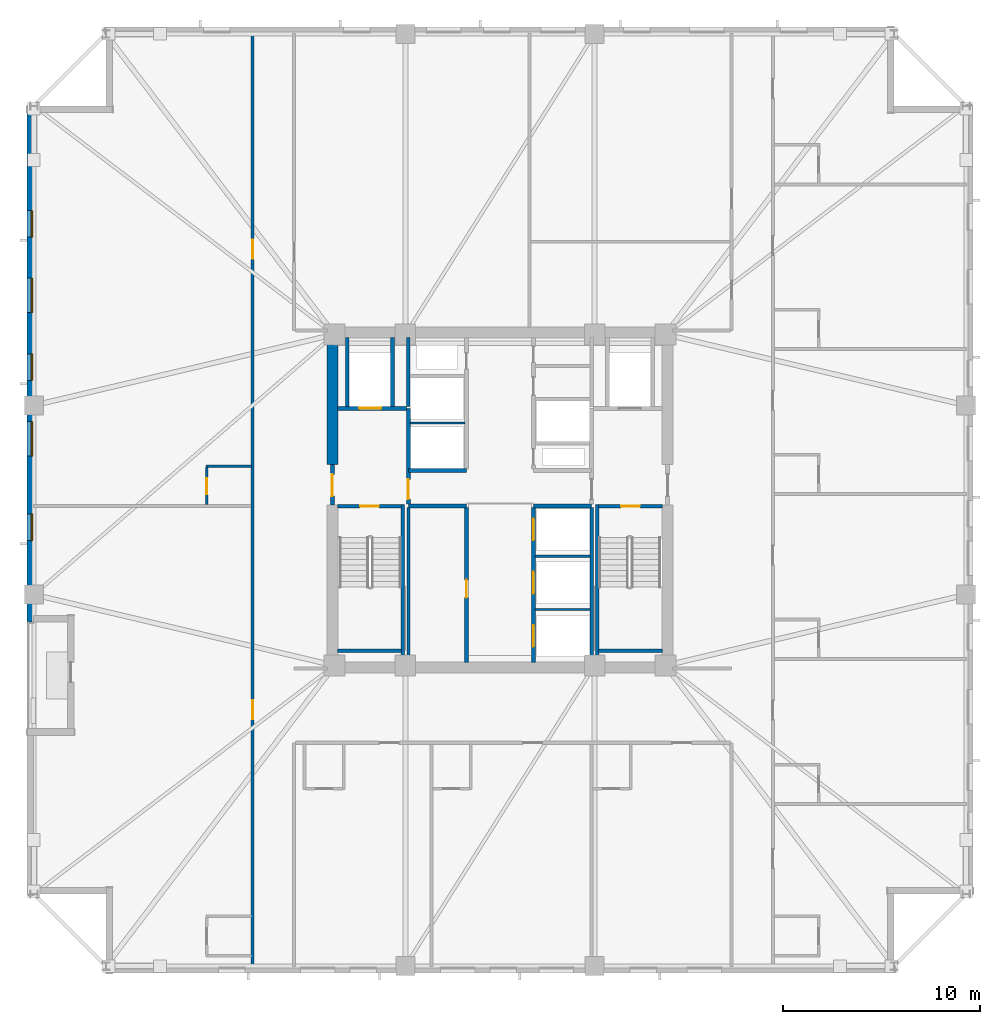
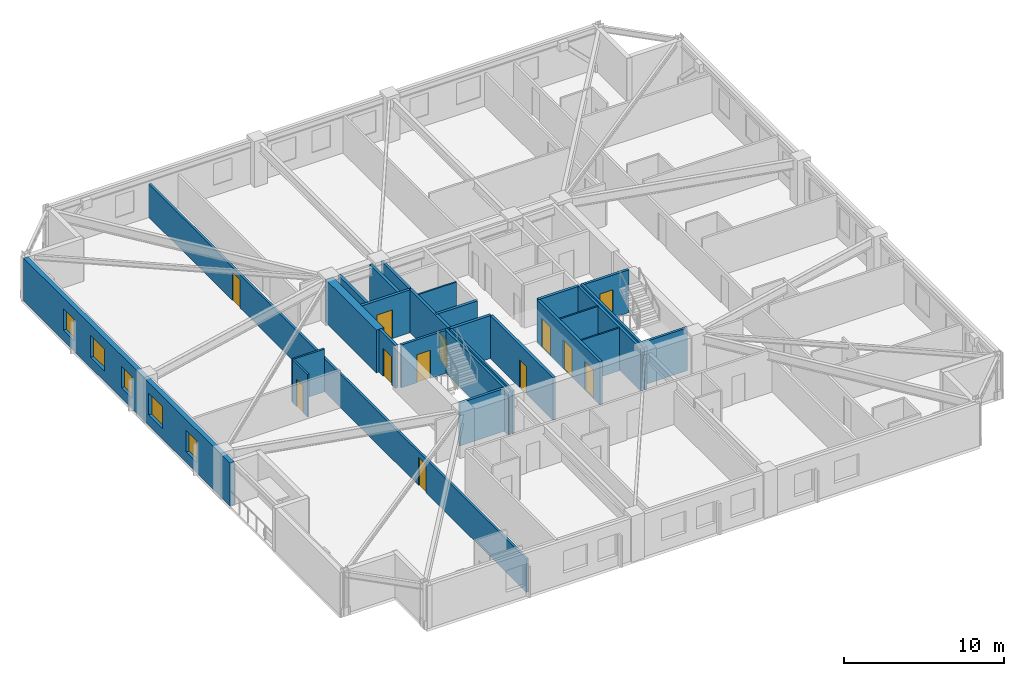
# One storey, part 3 of 11: 27 walls, 12 doors, 5 windows, 17 openings.
"""IFC4 building model written with IfcOpenShell, lengths in metres."""

from ifc_helpers import new_model, si_unit, direction, frame, frame_2d, origin, place, context, subcontext, project, spatial, rectangle, extrude, material, layer, layer_set, type_object, element, fill, save


model = new_model("IFC4")

# Units and contexts
model_context = context("Model", 3, precision=1e-05, world=origin(), true_north=direction((0.0, 1.0)))
body_context = subcontext(model_context, "Body", "Model", "MODEL_VIEW")
ifc_project = project(units=[si_unit("LENGTHUNIT", "METRE"), si_unit("AREAUNIT", "SQUARE_METRE"), si_unit("VOLUMEUNIT", "CUBIC_METRE"), si_unit("PLANEANGLEUNIT", "RADIAN"), si_unit("MASSUNIT", "GRAM", prefix="KILO")], contexts=[model_context])

# Site, building, storey
site_placement = place(None, origin())
site = spatial("IfcSite", under=ifc_project, at=site_placement, CompositionType="ELEMENT")
building_placement = place(site_placement, origin())
building = spatial("IfcBuilding", under=site, at=building_placement, Name="Cairnveth Concourse Tower", CompositionType="ELEMENT")
storey_placement = place(building_placement, frame((0.0, 0.0, 134.0)))
storey = spatial("IfcBuildingStorey", under=building, at=storey_placement, Name="L36", CompositionType="ELEMENT", Elevation=134.0)

# Wall
ifc_material_1 = material(Name="Gypsum Plasterboard Partition", Category="gypsum")
ifc_layer_1 = layer(ifc_material_1, 0.159912109375)
ifc_layer_set_1 = layer_set([ifc_layer_1], Name="Gypsum Plasterboard Partition")
wall_type_1 = type_object("IfcWallType", Name="ACOUSTIC PARTY WALL 180", PredefinedType="PARTITIONING", material=ifc_layer_set_1)
wall_1_placement = place(storey_placement, frame((47.35009765625, 30.760009765625, 0.0), z_axis=(0.0, 0.0, 1.0), x_axis=(0.0, 1.0, 0.0)))
element("IfcWall", 1, at=wall_1_placement, inside=storey, type_object=wall_type_1, Name="Interior Wall IW-L36-025", PredefinedType="PARTITIONING", context=body_context, shape_type="SweptSolid", body=[
    extrude(rectangle(XDim=7.85498046875, YDim=0.159912109375, at=frame_2d((3.927490234375, 0.0))), origin(), (0.0, 0.0, 1.0), 3.280029296875),
])

# Wall, openings, doors
wall_2_placement = place(storey_placement, frame((39.449951171875, 15.324951171875, 0.0), z_axis=(0.0, 0.0, 1.0), x_axis=(0.0, 1.0, 0.0)))
wall_2 = element("IfcWall", 2, at=wall_2_placement, inside=storey, type_object=wall_type_1, Name="Interior Wall IW-L36-036", PredefinedType="PARTITIONING", context=body_context, shape_type="SweptSolid", body=[
    extrude(rectangle(XDim=47.35009765625, YDim=0.159912109375, at=frame_2d((23.675048828125, 0.0))), origin(), (0.0, 0.0, 1.0), 2.554931640625),
])
opening_1_placement = place(wall_2_placement, frame((12.55712890625, 0.0, 0.0)))
opening_1 = element("IfcOpeningElement", 3, at=opening_1_placement, cuts=wall_2, Name="Opening ID09", PredefinedType="OPENING", context=body_context, shape_type="SweptSolid", body=[
    extrude(rectangle(XDim=0.9599609375, YDim=2.14990234375, at=frame_2d((0.47998046875, 1.074951171875))), frame((0.0, 0.08984375, 0.0), z_axis=(0.0, -1.0, 0.0), x_axis=(1.0, 0.0, 0.0)), (0.0, 0.0, 1.0), 0.179931640625),
])
opening_2_placement = place(wall_2_placement, frame((35.912109375, 0.0, 0.0)))
opening_2 = element("IfcOpeningElement", 4, at=opening_2_placement, cuts=wall_2, Name="Opening ID09", PredefinedType="OPENING", context=body_context, shape_type="SweptSolid", body=[
    extrude(rectangle(XDim=0.9599609375, YDim=2.14990234375, at=frame_2d((0.47998046875, 1.074951171875))), frame((0.0, 0.08984375, 0.0), z_axis=(0.0, -1.0, 0.0), x_axis=(1.0, 0.0, 0.0)), (0.0, 0.0, 1.0), 0.179931640625),
])
ifc_material_2 = material(Name="Solid Core Hardwood Timber Leaf", Category="wood")
door_type_1 = type_object("IfcDoorType", Name="HOTEL ENTRANCE DOOR 960X2150", OperationType="NOTDEFINED", PredefinedType="DOOR", material=ifc_material_2)
door_1_placement = place(opening_1_placement, origin())
door_1 = element("IfcDoor", 5, at=door_1_placement, inside=storey, type_object=door_type_1, Name="Hotel Room Door L36-W1", OperationType="SINGLE_SWING_LEFT", OverallHeight=2.14990234375, OverallWidth=0.9599609375, PredefinedType="DOOR", context=body_context, shape_type="SweptSolid", body=[
    extrude(rectangle(XDim=0.9599609375, YDim=2.14990234375, at=frame_2d((0.47998046875, 1.074951171875))), frame((0.0, 0.02490234375, 0.0), z_axis=(0.0, -1.0, 0.0), x_axis=(1.0, 0.0, 0.0)), (0.0, 0.0, 1.0), 0.050048828125),
])
fill(opening_1, door_1)
door_2_placement = place(opening_2_placement, origin())
door_2 = element("IfcDoor", 6, at=door_2_placement, inside=storey, type_object=door_type_1, Name="Hotel Room Door L36-W2", OperationType="SINGLE_SWING_LEFT", OverallHeight=2.14990234375, OverallWidth=0.9599609375, PredefinedType="DOOR", context=body_context, shape_type="SweptSolid", body=[
    extrude(rectangle(XDim=0.9599609375, YDim=2.14990234375, at=frame_2d((0.47998046875, 1.074951171875))), frame((0.0, 0.02490234375, 0.0), z_axis=(0.0, -1.0, 0.0), x_axis=(1.0, 0.0, 0.0)), (0.0, 0.0, 1.0), 0.050048828125),
])
fill(opening_2, door_2)

# Walls
ifc_material_3 = material(Name="Concrete N80 (80 MPa)", Category="concrete")
ifc_layer_2 = layer(ifc_material_3, 0.550048828125)
ifc_layer_set_2 = layer_set([ifc_layer_2], Name="Concrete N80 (80 MPa)")
wall_type_2 = type_object("IfcWallType", Name="CORE SHEAR WALL 550", PredefinedType="SHEAR", material=ifc_layer_set_2)
wall_3_placement = place(storey_placement, frame((43.5, 40.800048828125, 0.0), z_axis=(0.0, 0.0, 1.0), x_axis=(0.0, 1.0, 0.0)))
element("IfcWall", 7, at=wall_3_placement, inside=storey, type_object=wall_type_2, Name="Core West Shear Wall N L36", PredefinedType="SHEAR", context=body_context, shape_type="SweptSolid", body=[
    extrude(rectangle(XDim=6.43505859375, YDim=0.550048828125, at=frame_2d((3.217529296875, 0.0))), origin(), (0.0, 0.0, 1.0), 3.280029296875),
])
ifc_material_4 = material(Name="Concrete N50 (50 MPa)", Category="concrete")
ifc_layer_3 = layer(ifc_material_4, 0.179931640625)
ifc_layer_set_3 = layer_set([ifc_layer_3], Name="Concrete N50 (50 MPa)")
wall_type_3 = type_object("IfcWallType", Name="FIRE SHAFT WALL 180", PredefinedType="SOLIDWALL", material=ifc_layer_set_3)
wall_4_placement = place(storey_placement, frame((56.64990234375, 30.760009765625, 0.0), z_axis=(0.0, 0.0, 1.0), x_axis=(0.0, 1.0, 0.0)))
element("IfcWall", 8, at=wall_4_placement, inside=storey, type_object=wall_type_3, Name="Interior Wall IW-L36-026", PredefinedType="SOLIDWALL", context=body_context, shape_type="SweptSolid", body=[
    extrude(rectangle(XDim=7.85498046875, YDim=0.179931640625, at=frame_2d((3.927490234375, 0.0))), origin(), (0.0, 0.0, 1.0), 3.280029296875),
])
wall_5_placement = place(storey_placement, frame((47.35009765625, 43.735107421875, 0.0), z_axis=(0.0, 0.0, 1.0), x_axis=(0.0, 1.0, 0.0)))
element("IfcWall", 9, at=wall_5_placement, inside=storey, type_object=wall_type_3, Name="Interior Wall IW-L36-029", PredefinedType="SOLIDWALL", context=body_context, shape_type="SweptSolid", body=[
    extrude(rectangle(XDim=3.5048828125, YDim=0.179931640625, at=frame_2d((1.75244140625, 0.0))), origin(), (0.0, 0.0, 1.0), 3.280029296875),
])

# Wall, opening, door
wall_6_placement = place(storey_placement, frame((43.764892578125, 38.68994140625, 0.0), z_axis=(0.0, 0.0, 1.0), x_axis=(1.0, 0.0, 0.0)))
wall_6 = element("IfcWall", 10, at=wall_6_placement, inside=storey, type_object=wall_type_3, Name="Stair ST-1 Shaft Wall NEAR L36", PredefinedType="SOLIDWALL", context=body_context, shape_type="SweptSolid", body=[
    extrude(rectangle(XDim=3.230224609375, YDim=0.179931640625, at=frame_2d((1.615234375, 0.0))), origin(), (0.0, 0.0, 1.0), 3.280029296875),
])
opening_3_placement = place(wall_6_placement, frame((1.139892578125, 0.0, 0.0)))
opening_3 = element("IfcOpeningElement", 11, at=opening_3_placement, cuts=wall_6, Name="Opening ID12", PredefinedType="OPENING", context=body_context, shape_type="SweptSolid", body=[
    extrude(rectangle(XDim=0.949951171875, YDim=2.14990234375, at=frame_2d((0.47509765625, 1.074951171875))), frame((0.0, 0.099853515625, 0.0), z_axis=(0.0, -1.0, 0.0), x_axis=(1.0, 0.0, 0.0)), (0.0, 0.0, 1.0), 0.199951171875),
])
ifc_material_5 = material(Name="Steel Grade 350", Category="steel")
door_type_2 = type_object("IfcDoorType", Name="FIRE STAIR DOOR 950X2150", OperationType="NOTDEFINED", PredefinedType="DOOR", material=ifc_material_5)
door_3_placement = place(opening_3_placement, origin())
door_3 = element("IfcDoor", 12, at=door_3_placement, inside=storey, type_object=door_type_2, Name="Stair ST-1 Fire Door L36", OperationType="SINGLE_SWING_LEFT", OverallHeight=2.14990234375, OverallWidth=0.949951171875, PredefinedType="DOOR", context=body_context, shape_type="SweptSolid", body=[
    extrude(rectangle(XDim=0.949951171875, YDim=2.14990234375, at=frame_2d((0.47509765625, 1.074951171875))), frame((0.0, 0.02490234375, 0.0), z_axis=(0.0, -1.0, 0.0), x_axis=(1.0, 0.0, 0.0)), (0.0, 0.0, 1.0), 0.050048828125),
])
fill(opening_3, door_3)

# Walls
wall_7_placement = place(storey_placement, frame((43.764892578125, 31.360107421875, 0.0), z_axis=(0.0, 0.0, 1.0), x_axis=(1.0, 0.0, 0.0)))
element("IfcWall", 13, at=wall_7_placement, inside=storey, type_object=wall_type_3, Name="Stair ST-1 Shaft Wall FAR L36", PredefinedType="SOLIDWALL", context=body_context, shape_type="SweptSolid", body=[
    extrude(rectangle(XDim=3.230224609375, YDim=0.179931640625, at=frame_2d((1.615234375, 0.0))), origin(), (0.0, 0.0, 1.0), 3.280029296875),
])
wall_8_placement = place(storey_placement, frame((47.070068359375, 38.780029296875, 0.0), z_axis=(0.0, 0.0, 1.0), x_axis=(0.0, -1.0, 0.0)))
element("IfcWall", 14, at=wall_8_placement, inside=storey, type_object=wall_type_3, Name="Stair ST-1 Shaft Wall RGHT L36", PredefinedType="SOLIDWALL", context=body_context, shape_type="SweptSolid", body=[
    extrude(rectangle(XDim=8.01708984375, YDim=0.179931640625, at=frame_2d((4.008544921875, 0.0))), origin(), (0.0, 0.0, 1.0), 3.280029296875),
])

# Wall, opening, door
wall_9_placement = place(storey_placement, frame((57.0048828125, 38.68994140625, 0.0), z_axis=(0.0, 0.0, 1.0), x_axis=(1.0, 0.0, 0.0)))
wall_9 = element("IfcWall", 15, at=wall_9_placement, inside=storey, type_object=wall_type_3, Name="Stair ST-2 Shaft Wall NEAR L36", PredefinedType="SOLIDWALL", context=body_context, shape_type="SweptSolid", body=[
    extrude(rectangle(XDim=3.230224609375, YDim=0.179931640625, at=frame_2d((1.615234375, 0.0))), origin(), (0.0, 0.0, 1.0), 3.280029296875),
])
opening_4_placement = place(wall_9_placement, frame((1.139892578125, 0.0, 0.0)))
opening_4 = element("IfcOpeningElement", 16, at=opening_4_placement, cuts=wall_9, Name="Opening ID12", PredefinedType="OPENING", context=body_context, shape_type="SweptSolid", body=[
    extrude(rectangle(XDim=0.949951171875, YDim=2.14990234375, at=frame_2d((0.47509765625, 1.074951171875))), frame((0.0, 0.099853515625, 0.0), z_axis=(0.0, -1.0, 0.0), x_axis=(1.0, 0.0, 0.0)), (0.0, 0.0, 1.0), 0.199951171875),
])
door_4_placement = place(opening_4_placement, origin())
door_4 = element("IfcDoor", 17, at=door_4_placement, inside=storey, type_object=door_type_2, Name="Stair ST-2 Fire Door L36", OperationType="SINGLE_SWING_RIGHT", OverallHeight=2.14990234375, OverallWidth=0.949951171875, PredefinedType="DOOR", context=body_context, shape_type="SweptSolid", body=[
    extrude(rectangle(XDim=0.949951171875, YDim=2.14990234375, at=frame_2d((0.47509765625, 1.074951171875))), frame((0.0, 0.02490234375, 0.0), z_axis=(0.0, -1.0, 0.0), x_axis=(1.0, 0.0, 0.0)), (0.0, 0.0, 1.0), 0.050048828125),
])
fill(opening_4, door_4)

# Walls
wall_10_placement = place(storey_placement, frame((57.0048828125, 31.360107421875, 0.0), z_axis=(0.0, 0.0, 1.0), x_axis=(1.0, 0.0, 0.0)))
element("IfcWall", 18, at=wall_10_placement, inside=storey, type_object=wall_type_3, Name="Stair ST-2 Shaft Wall FAR L36", PredefinedType="SOLIDWALL", context=body_context, shape_type="SweptSolid", body=[
    extrude(rectangle(XDim=3.230224609375, YDim=0.179931640625, at=frame_2d((1.615234375, 0.0))), origin(), (0.0, 0.0, 1.0), 3.280029296875),
])
wall_11_placement = place(storey_placement, frame((56.929931640625, 38.780029296875, 0.0), z_axis=(0.0, 0.0, 1.0), x_axis=(0.0, -1.0, 0.0)))
element("IfcWall", 19, at=wall_11_placement, inside=storey, type_object=wall_type_3, Name="Stair ST-2 Shaft Wall LEFT L36", PredefinedType="SOLIDWALL", context=body_context, shape_type="SweptSolid", body=[
    extrude(rectangle(XDim=8.01708984375, YDim=0.179931640625, at=frame_2d((4.008544921875, 0.0))), origin(), (0.0, 0.0, 1.0), 3.280029296875),
])
ifc_layer_4 = layer(ifc_material_4, 0.199951171875)
ifc_layer_set_4 = layer_set([ifc_layer_4], Name="Concrete N50 (50 MPa)")
wall_type_4 = type_object("IfcWallType", Name="FIRE SHAFT WALL 200", PredefinedType="SOLIDWALL", material=ifc_layer_set_4)
for number, where, z_axis, x_axis, name in (
    (20, (47.35009765625, 38.699951171875, 0.0), (0.0, 0.0, 1.0), (1.0, 0.0, 0.0), "Interior Wall IW-L36-007"),
    (21, (47.35009765625, 40.5, 0.0), (0.0, 0.0, 1.0), (1.0, 0.0, 0.0), "Interior Wall IW-L36-008"),
    (22, (53.699951171875, 38.699951171875, 0.0), (0.0, 0.0, 1.0), (1.0, 0.0, 0.0), "Interior Wall IW-L36-009"),
):
    element("IfcWall", number, at=place(storey_placement, frame(where, z_axis=z_axis, x_axis=x_axis)), inside=storey, type_object=wall_type_4, Name=name, PredefinedType="SOLIDWALL", context=body_context, shape_type="SweptSolid", body=[
        extrude(rectangle(XDim=2.949951171875, YDim=0.199951171875, at=frame_2d((1.47509765625, 0.0))), origin(), (0.0, 0.0, 1.0), 3.280029296875),
    ])

# Wall, opening, door
wall_12_placement = place(storey_placement, frame((50.300048828125, 30.760009765625, 0.0), z_axis=(0.0, 0.0, 1.0), x_axis=(0.0, 1.0, 0.0)))
wall_12 = element("IfcWall", 23, at=wall_12_placement, inside=storey, type_object=wall_type_4, Name="Interior Wall IW-L36-011", PredefinedType="SOLIDWALL", context=body_context, shape_type="SweptSolid", body=[
    extrude(rectangle(XDim=7.85498046875, YDim=0.199951171875, at=frame_2d((3.927490234375, 0.0))), origin(), (0.0, 0.0, 1.0), 3.280029296875),
])
opening_5_placement = place(wall_12_placement, frame((3.2900390625, 0.0, 0.0)))
opening_5 = element("IfcOpeningElement", 24, at=opening_5_placement, cuts=wall_12, Name="Opening ID16", PredefinedType="OPENING", context=body_context, shape_type="SweptSolid", body=[
    extrude(rectangle(XDim=0.89990234375, YDim=2.1201171875, at=frame_2d((0.449951171875, 1.06005859375))), frame((0.0, 0.10986328125, 0.0), z_axis=(0.0, -1.0, 0.0), x_axis=(1.0, 0.0, 0.0)), (0.0, 0.0, 1.0), 0.219970703125),
])
door_type_3 = type_object("IfcDoorType", Name="CORE SERVICE DOOR 900X2100", OperationType="NOTDEFINED", PredefinedType="DOOR", material=ifc_material_5)
door_5_placement = place(opening_5_placement, origin())
door_5 = element("IfcDoor", 25, at=door_5_placement, inside=storey, type_object=door_type_3, Name="Linen Pantry Suite Door L36", OperationType="SINGLE_SWING_LEFT", OverallHeight=2.1201171875, OverallWidth=0.89990234375, PredefinedType="DOOR", context=body_context, shape_type="SweptSolid", body=[
    extrude(rectangle(XDim=0.89990234375, YDim=2.1201171875, at=frame_2d((0.449951171875, 1.06005859375))), frame((0.0, 0.02490234375, 0.0), z_axis=(0.0, -1.0, 0.0), x_axis=(1.0, 0.0, 0.0)), (0.0, 0.0, 1.0), 0.050048828125),
])
fill(opening_5, door_5)

# Wall, openings, doors
wall_13_placement = place(storey_placement, frame((53.699951171875, 30.760009765625, 0.0), z_axis=(0.0, 0.0, 1.0), x_axis=(0.0, 1.0, 0.0)))
wall_13 = element("IfcWall", 26, at=wall_13_placement, inside=storey, type_object=wall_type_4, Name="Interior Wall IW-L36-012", PredefinedType="SOLIDWALL", context=body_context, shape_type="SweptSolid", body=[
    extrude(rectangle(XDim=7.85498046875, YDim=0.199951171875, at=frame_2d((3.927490234375, 0.0))), origin(), (0.0, 0.0, 1.0), 3.280029296875),
])
opening_6_placement = place(wall_13_placement, frame((0.7900390625, 0.0, 0.0)))
opening_6 = element("IfcOpeningElement", 27, at=opening_6_placement, cuts=wall_13, Name="Opening LD-1", PredefinedType="OPENING", context=body_context, shape_type="SweptSolid", body=[
    extrude(rectangle(XDim=1.10009765625, YDim=2.199951171875, at=frame_2d((0.550048828125, 1.10009765625))), frame((0.0, 0.10986328125, 0.0), z_axis=(0.0, -1.0, 0.0), x_axis=(1.0, 0.0, 0.0)), (0.0, 0.0, 1.0), 0.219970703125),
])
opening_7_placement = place(wall_13_placement, frame((3.489990234375, 0.0, 0.0)))
opening_7 = element("IfcOpeningElement", 28, at=opening_7_placement, cuts=wall_13, Name="Opening LD-1", PredefinedType="OPENING", context=body_context, shape_type="SweptSolid", body=[
    extrude(rectangle(XDim=1.10009765625, YDim=2.199951171875, at=frame_2d((0.550048828125, 1.10009765625))), frame((0.0, 0.10986328125, 0.0), z_axis=(0.0, -1.0, 0.0), x_axis=(1.0, 0.0, 0.0)), (0.0, 0.0, 1.0), 0.219970703125),
])
opening_8_placement = place(wall_13_placement, frame((6.18994140625, 0.0, 0.0)))
opening_8 = element("IfcOpeningElement", 29, at=opening_8_placement, cuts=wall_13, Name="Opening LD-1", PredefinedType="OPENING", context=body_context, shape_type="SweptSolid", body=[
    extrude(rectangle(XDim=1.10009765625, YDim=2.199951171875, at=frame_2d((0.550048828125, 1.10009765625))), frame((0.0, 0.10986328125, 0.0), z_axis=(0.0, -1.0, 0.0), x_axis=(1.0, 0.0, 0.0)), (0.0, 0.0, 1.0), 0.219970703125),
])
ifc_material_6 = material(Name="Architectural Bronze Anodised Aluminium 6063-T6", Category="aluminium")
door_type_4 = type_object("IfcDoorType", Name="LIFT LANDING DOOR 1100X2200", OperationType="SLIDING_TO_LEFT", PredefinedType="DOOR", material=ifc_material_6)
door_6_placement = place(opening_6_placement, origin())
door_6 = element("IfcDoor", 30, at=door_6_placement, inside=storey, type_object=door_type_4, Name="Lift PL4 Landing Door L36", OperationType="SLIDING_TO_LEFT", OverallHeight=2.199951171875, OverallWidth=1.10009765625, PredefinedType="DOOR", context=body_context, shape_type="SweptSolid", body=[
    extrude(rectangle(XDim=1.10009765625, YDim=2.199951171875, at=frame_2d((0.550048828125, 1.10009765625))), frame((0.0, 0.02490234375, 0.0), z_axis=(0.0, -1.0, 0.0), x_axis=(1.0, 0.0, 0.0)), (0.0, 0.0, 1.0), 0.050048828125),
])
fill(opening_6, door_6)
door_7_placement = place(opening_7_placement, origin())
door_7 = element("IfcDoor", 31, at=door_7_placement, inside=storey, type_object=door_type_4, Name="Lift PL5 Landing Door L36", OperationType="SLIDING_TO_LEFT", OverallHeight=2.199951171875, OverallWidth=1.10009765625, PredefinedType="DOOR", context=body_context, shape_type="SweptSolid", body=[
    extrude(rectangle(XDim=1.10009765625, YDim=2.199951171875, at=frame_2d((0.550048828125, 1.10009765625))), frame((0.0, 0.02490234375, 0.0), z_axis=(0.0, -1.0, 0.0), x_axis=(1.0, 0.0, 0.0)), (0.0, 0.0, 1.0), 0.050048828125),
])
fill(opening_7, door_7)
door_8_placement = place(opening_8_placement, origin())
door_8 = element("IfcDoor", 32, at=door_8_placement, inside=storey, type_object=door_type_4, Name="Lift PL6 Landing Door L36", OperationType="SLIDING_TO_LEFT", OverallHeight=2.199951171875, OverallWidth=1.10009765625, PredefinedType="DOOR", context=body_context, shape_type="SweptSolid", body=[
    extrude(rectangle(XDim=1.10009765625, YDim=2.199951171875, at=frame_2d((0.550048828125, 1.10009765625))), frame((0.0, 0.02490234375, 0.0), z_axis=(0.0, -1.0, 0.0), x_axis=(1.0, 0.0, 0.0)), (0.0, 0.0, 1.0), 0.050048828125),
])
fill(opening_8, door_8)

# Wall, opening, door
wall_14_placement = place(storey_placement, frame((43.5, 38.75, 0.0), z_axis=(0.0, 0.0, 1.0), x_axis=(0.0, 1.0, 0.0)))
wall_14 = element("IfcWall", 33, at=wall_14_placement, inside=storey, type_object=wall_type_4, Name="Interior Wall IW-L36-015", PredefinedType="SOLIDWALL", context=body_context, shape_type="SweptSolid", body=[
    extrude(rectangle(XDim=2.050048828125, YDim=0.199951171875, at=frame_2d((1.02490234375, 0.0))), origin(), (0.0, 0.0, 1.0), 3.280029296875),
])
opening_9_placement = place(wall_14_placement, frame((0.449951171875, 0.0, 0.0)))
opening_9 = element("IfcOpeningElement", 34, at=opening_9_placement, cuts=wall_14, Name="Opening ID06", PredefinedType="OPENING", context=body_context, shape_type="SweptSolid", body=[
    extrude(rectangle(XDim=1.10009765625, YDim=2.14990234375, at=frame_2d((0.550048828125, 1.074951171875))), frame((0.0, 0.10986328125, 0.0), z_axis=(0.0, -1.0, 0.0), x_axis=(1.0, 0.0, 0.0)), (0.0, 0.0, 1.0), 0.219970703125),
])
door_type_5 = type_object("IfcDoorType", Name="FIRE CORRIDOR DOOR 1100X2150", OperationType="NOTDEFINED", PredefinedType="DOOR", material=ifc_material_5)
door_9_placement = place(opening_9_placement, origin())
door_9 = element("IfcDoor", 35, at=door_9_placement, inside=storey, type_object=door_type_5, Name="West Wing to FF Lobby Door L36", OperationType="SINGLE_SWING_LEFT", OverallHeight=2.14990234375, OverallWidth=1.10009765625, PredefinedType="DOOR", context=body_context, shape_type="SweptSolid", body=[
    extrude(rectangle(XDim=1.10009765625, YDim=2.14990234375, at=frame_2d((0.550048828125, 1.074951171875))), frame((0.0, 0.02490234375, 0.0), z_axis=(0.0, -1.0, 0.0), x_axis=(1.0, 0.0, 0.0)), (0.0, 0.0, 1.0), 0.050048828125),
])
fill(opening_9, door_9)

wall_15_placement = place(storey_placement, frame((47.35009765625, 38.784912109375, 0.0), z_axis=(0.0, 0.0, 1.0), x_axis=(0.0, 1.0, 0.0)))
wall_15 = element("IfcWall", 36, at=wall_15_placement, inside=storey, type_object=wall_type_4, Name="Interior Wall IW-L36-016", PredefinedType="SOLIDWALL", context=body_context, shape_type="SweptSolid", body=[
    extrude(rectangle(XDim=4.864990234375, YDim=0.199951171875, at=frame_2d((2.4326171875, 0.0))), origin(), (0.0, 0.0, 1.0), 3.280029296875),
])
opening_10_placement = place(wall_15_placement, frame((0.264892578125, 0.0, 0.0)))
opening_10 = element("IfcOpeningElement", 37, at=opening_10_placement, cuts=wall_15, Name="Opening ID07", PredefinedType="OPENING", context=body_context, shape_type="SweptSolid", body=[
    extrude(rectangle(XDim=1.0, YDim=2.14990234375, at=frame_2d((0.5, 1.074951171875))), frame((0.0, 0.10986328125, 0.0), z_axis=(0.0, -1.0, 0.0), x_axis=(1.0, 0.0, 0.0)), (0.0, 0.0, 1.0), 0.219970703125),
])
door_type_6 = type_object("IfcDoorType", Name="FIRE CORRIDOR DOOR 1000X2150", OperationType="NOTDEFINED", PredefinedType="DOOR", material=ifc_material_5)
door_10_placement = place(opening_10_placement, origin())
door_10 = element("IfcDoor", 38, at=door_10_placement, inside=storey, type_object=door_type_6, Name="FF Lobby West to Lift Lobby Door L36", OperationType="SINGLE_SWING_RIGHT", OverallHeight=2.14990234375, OverallWidth=1.0, PredefinedType="DOOR", context=body_context, shape_type="SweptSolid", body=[
    extrude(rectangle(XDim=1.0, YDim=2.14990234375, at=frame_2d((0.5, 1.074951171875))), frame((0.0, 0.02490234375, 0.0), z_axis=(0.0, -1.0, 0.0), x_axis=(1.0, 0.0, 0.0)), (0.0, 0.0, 1.0), 0.050048828125),
])
fill(opening_10, door_10)

wall_16_placement = place(storey_placement, frame((43.760009765625, 43.64990234375, 0.0), z_axis=(0.0, 0.0, 1.0), x_axis=(1.0, 0.0, 0.0)))
wall_16 = element("IfcWall", 39, at=wall_16_placement, inside=storey, type_object=wall_type_4, Name="Interior Wall IW-L36-017", PredefinedType="SOLIDWALL", context=body_context, shape_type="SweptSolid", body=[
    extrude(rectangle(XDim=3.5048828125, YDim=0.199951171875, at=frame_2d((1.75244140625, 0.0))), origin(), (0.0, 0.0, 1.0), 3.280029296875),
])
opening_11_placement = place(wall_16_placement, frame((1.110107421875, 0.0, 0.0)))
opening_11 = element("IfcOpeningElement", 40, at=opening_11_placement, cuts=wall_16, Name="Opening LD-1", PredefinedType="OPENING", context=body_context, shape_type="SweptSolid", body=[
    extrude(rectangle(XDim=1.10009765625, YDim=2.199951171875, at=frame_2d((0.550048828125, 1.10009765625))), frame((0.0, 0.10986328125, 0.0), z_axis=(0.0, -1.0, 0.0), x_axis=(1.0, 0.0, 0.0)), (0.0, 0.0, 1.0), 0.219970703125),
])
door_11_placement = place(opening_11_placement, origin())
door_11 = element("IfcDoor", 41, at=door_11_placement, inside=storey, type_object=door_type_4, Name="Lift FFL1 Landing Door L36", OperationType="SLIDING_TO_LEFT", OverallHeight=2.199951171875, OverallWidth=1.10009765625, PredefinedType="DOOR", context=body_context, shape_type="SweptSolid", body=[
    extrude(rectangle(XDim=1.10009765625, YDim=2.199951171875, at=frame_2d((0.550048828125, 1.10009765625))), frame((0.0, 0.02490234375, 0.0), z_axis=(0.0, -1.0, 0.0), x_axis=(1.0, 0.0, 0.0)), (0.0, 0.0, 1.0), 0.050048828125),
])
fill(opening_11, door_11)

# Walls
for number, where, z_axis, x_axis, name in (
    (42, (46.550048828125, 43.735107421875, 0.0), (0.0, 0.0, 1.0), (0.0, 1.0, 0.0), "Interior Wall IW-L36-018"),
    (43, (44.25, 43.735107421875, 0.0), (0.0, 0.0, 1.0), (0.0, 1.0, 0.0), "Interior Wall IW-L36-019"),
):
    element("IfcWall", number, at=place(storey_placement, frame(where, z_axis=z_axis, x_axis=x_axis)), inside=storey, type_object=wall_type_4, Name=name, PredefinedType="SOLIDWALL", context=body_context, shape_type="SweptSolid", body=[
        extrude(rectangle(XDim=3.5048828125, YDim=0.199951171875, at=frame_2d((1.75244140625, 0.0))), origin(), (0.0, 0.0, 1.0), 3.280029296875),
    ])
ifc_layer_5 = layer(ifc_material_1, 0.110107421875)
ifc_layer_set_5 = layer_set([ifc_layer_5], Name="Gypsum Plasterboard Partition")
wall_type_5 = type_object("IfcWallType", Name="SHAFT DIVIDER WALL 140", PredefinedType="PARTITIONING", material=ifc_layer_set_5)
for number, where, z_axis, x_axis, name in (
    (44, (53.784912109375, 33.449951171875, 0.0), (0.0, 0.0, 1.0), (1.0, 0.0, 0.0), "Interior Wall IW-L36-027"),
    (45, (53.784912109375, 36.14990234375, 0.0), (0.0, 0.0, 1.0), (1.0, 0.0, 0.0), "Interior Wall IW-L36-028"),
):
    element("IfcWall", number, at=place(storey_placement, frame(where, z_axis=z_axis, x_axis=x_axis)), inside=storey, type_object=wall_type_5, Name=name, PredefinedType="PARTITIONING", context=body_context, shape_type="SweptSolid", body=[
        extrude(rectangle(XDim=2.7900390625, YDim=0.110107421875, at=frame_2d((1.39501953125, 0.0))), origin(), (0.0, 0.0, 1.0), 3.280029296875),
    ])
wall_17_placement = place(storey_placement, frame((47.43505859375, 42.89990234375, 0.0), z_axis=(0.0, 0.0, 1.0), x_axis=(1.0, 0.0, 0.0)))
element("IfcWall", 46, at=wall_17_placement, inside=storey, type_object=wall_type_5, Name="Interior Wall IW-L36-030", PredefinedType="PARTITIONING", context=body_context, shape_type="SweptSolid", body=[
    extrude(rectangle(XDim=2.780029296875, YDim=0.110107421875, at=frame_2d((1.39013671875, 0.0))), origin(), (0.0, 0.0, 1.0), 3.280029296875),
])
ifc_layer_6 = layer(ifc_material_1, 0.1298828125)
ifc_layer_set_6 = layer_set([ifc_layer_6], Name="Gypsum Plasterboard Partition")
wall_type_6 = type_object("IfcWallType", Name="WET AREA PARTITION 140", PredefinedType="PLUMBINGWALL", material=ifc_layer_set_6)
wall_18_placement = place(storey_placement, frame((37.070068359375, 40.704345703125, 0.0), z_axis=(0.0, 0.0, 1.0), x_axis=(1.0, 0.0, 0.0)))
element("IfcWall", 47, at=wall_18_placement, inside=storey, type_object=wall_type_6, Name="Interior Wall IW-L36-062", PredefinedType="PLUMBINGWALL", context=body_context, shape_type="SweptSolid", body=[
    extrude(rectangle(XDim=2.31494140625, YDim=0.1298828125, at=frame_2d((1.157470703125, 0.0))), origin(), (0.0, 0.0, 1.0), 3.280029296875),
])

# Wall, opening, door
wall_19_placement = place(storey_placement, frame((37.1201171875, 38.769287109375, 0.0), z_axis=(0.0, 0.0, 1.0), x_axis=(0.0, 1.0, 0.0)))
wall_19 = element("IfcWall", 48, at=wall_19_placement, inside=storey, type_object=wall_type_6, Name="Interior Wall IW-L36-063", PredefinedType="PLUMBINGWALL", context=body_context, shape_type="SweptSolid", body=[
    extrude(rectangle(XDim=1.885009765625, YDim=0.1298828125, at=frame_2d((0.9423828125, 0.0))), origin(), (0.0, 0.0, 1.0), 3.280029296875),
])
opening_12_placement = place(wall_19_placement, frame((0.52490234375, 0.0, 0.0)))
opening_12 = element("IfcOpeningElement", 49, at=opening_12_placement, cuts=wall_19, Name="Opening ID22", PredefinedType="OPENING", context=body_context, shape_type="SweptSolid", body=[
    extrude(rectangle(XDim=0.820068359375, YDim=2.10009765625, at=frame_2d((0.41015625, 1.050048828125))), frame((0.0, 0.074951171875, 0.0), z_axis=(0.0, -1.0, 0.0), x_axis=(1.0, 0.0, 0.0)), (0.0, 0.0, 1.0), 0.14990234375),
])
door_type_7 = type_object("IfcDoorType", Name="INTERIOR WC DOOR 820X2100", OperationType="NOTDEFINED", PredefinedType="DOOR", material=ifc_material_2)
door_12_placement = place(opening_12_placement, origin())
door_12 = element("IfcDoor", 50, at=door_12_placement, inside=storey, type_object=door_type_7, Name="En-Suite Door L36-W2", OperationType="SINGLE_SWING_RIGHT", OverallHeight=2.10009765625, OverallWidth=0.820068359375, PredefinedType="DOOR", context=body_context, shape_type="SweptSolid", body=[
    extrude(rectangle(XDim=0.820068359375, YDim=2.10009765625, at=frame_2d((0.41015625, 1.050048828125))), frame((0.0, 0.02490234375, 0.0), z_axis=(0.0, -1.0, 0.0), x_axis=(1.0, 0.0, 0.0)), (0.0, 0.0, 1.0), 0.050048828125),
])
fill(opening_12, door_12)

# Wall, openings, windows
ifc_material_7 = material(Name="Hawthorn Red-Ochre Fired Clay Brick Masonry", Category="masonry")
ifc_layer_7 = layer(ifc_material_7, 0.340087890625)
ifc_layer_set_7 = layer_set([ifc_layer_7], Name="Hawthorn Red-Ochre Fired Clay Brick Masonry")
wall_type_7 = type_object("IfcWallType", Name="ZONE 2 BRICK PIER SPANDREL WALL 340", PredefinedType="SOLIDWALL", material=ifc_layer_set_7)
wall_20_placement = place(storey_placement, frame((28.169921875, 32.800048828125, 0.0), z_axis=(0.0, 0.0, 1.0), x_axis=(0.0, 1.0, 0.0)))
wall_20 = element("IfcWall", 51, at=wall_20_placement, inside=storey, type_object=wall_type_7, Name="Exterior Wall EW-L36-S00", PredefinedType="SOLIDWALL", context=body_context, shape_type="SweptSolid", body=[
    extrude(rectangle(XDim=25.8818359375, YDim=0.340087890625, at=frame_2d((12.94091796875, 0.0))), origin(), (0.0, 0.0, 1.0), 3.280029296875),
])
opening_13_placement = place(wall_20_placement, frame((4.143310546875, 0.0, 0.800048828125)))
opening_13 = element("IfcOpeningElement", 52, at=opening_13_placement, cuts=wall_20, Name="Opening W02", PredefinedType="OPENING", context=body_context, shape_type="SweptSolid", body=[
    extrude(rectangle(XDim=1.35009765625, YDim=1.659912109375, at=frame_2d((0.675048828125, 0.830078125))), frame((0.0, 0.179931640625, 0.0), z_axis=(0.0, -1.0, 0.0), x_axis=(1.0, 0.0, 0.0)), (0.0, 0.0, 1.0), 0.360107421875),
])
opening_14_placement = place(wall_20_placement, frame((8.4296875, 0.0, 0.800048828125)))
opening_14 = element("IfcOpeningElement", 53, at=opening_14_placement, cuts=wall_20, Name="Opening W06", PredefinedType="OPENING", context=body_context, shape_type="SweptSolid", body=[
    extrude(rectangle(XDim=1.75, YDim=1.659912109375, at=frame_2d((0.875, 0.830078125))), frame((0.0, 0.179931640625, 0.0), z_axis=(0.0, -1.0, 0.0), x_axis=(1.0, 0.0, 0.0)), (0.0, 0.0, 1.0), 0.360107421875),
])
opening_15_placement = place(wall_20_placement, frame((12.26611328125, 0.0, 0.800048828125)))
opening_15 = element("IfcOpeningElement", 54, at=opening_15_placement, cuts=wall_20, Name="Opening W02", PredefinedType="OPENING", context=body_context, shape_type="SweptSolid", body=[
    extrude(rectangle(XDim=1.35009765625, YDim=1.659912109375, at=frame_2d((0.675048828125, 0.830078125))), frame((0.0, 0.179931640625, 0.0), z_axis=(0.0, -1.0, 0.0), x_axis=(1.0, 0.0, 0.0)), (0.0, 0.0, 1.0), 0.360107421875),
])
opening_16_placement = place(wall_20_placement, frame((15.702392578125, 0.0, 0.800048828125)))
opening_16 = element("IfcOpeningElement", 55, at=opening_16_placement, cuts=wall_20, Name="Opening W06", PredefinedType="OPENING", context=body_context, shape_type="SweptSolid", body=[
    extrude(rectangle(XDim=1.75, YDim=1.659912109375, at=frame_2d((0.875, 0.830078125))), frame((0.0, 0.179931640625, 0.0), z_axis=(0.0, -1.0, 0.0), x_axis=(1.0, 0.0, 0.0)), (0.0, 0.0, 1.0), 0.360107421875),
])
opening_17_placement = place(wall_20_placement, frame((19.538818359375, 0.0, 0.800048828125)))
opening_17 = element("IfcOpeningElement", 56, at=opening_17_placement, cuts=wall_20, Name="Opening W02", PredefinedType="OPENING", context=body_context, shape_type="SweptSolid", body=[
    extrude(rectangle(XDim=1.35009765625, YDim=1.659912109375, at=frame_2d((0.675048828125, 0.830078125))), frame((0.0, 0.179931640625, 0.0), z_axis=(0.0, -1.0, 0.0), x_axis=(1.0, 0.0, 0.0)), (0.0, 0.0, 1.0), 0.360107421875),
])
ifc_material_8 = material(Name="Double Glazed Low-E Clear Glass", Category="glass")
window_type_1 = type_object("IfcWindowType", Name="DEEP-SET GOTHIC LANCET WINDOW 1350X1800", PartitioningType="DOUBLE_PANEL_VERTICAL", PredefinedType="WINDOW", material=ifc_material_8)
window_1_placement = place(opening_13_placement, origin())
window_1 = element("IfcWindow", 57, at=window_1_placement, inside=storey, type_object=window_type_1, Name="Gothic Lancet Window L36-0-1", OverallHeight=1.659912109375, OverallWidth=1.35009765625, PartitioningType="SINGLE_PANEL", PredefinedType="WINDOW", context=body_context, shape_type="SweptSolid", body=[
    extrude(rectangle(XDim=1.35009765625, YDim=1.659912109375, at=frame_2d((0.675048828125, 0.830078125))), frame((0.0, -0.050048828125, 0.0), z_axis=(0.0, -1.0, 0.0), x_axis=(1.0, 0.0, 0.0)), (0.0, 0.0, 1.0), 0.06005859375),
])
fill(opening_13, window_1)
window_2_placement = place(opening_15_placement, origin())
window_2 = element("IfcWindow", 58, at=window_2_placement, inside=storey, type_object=window_type_1, Name="Gothic Lancet Window L36-0-3", OverallHeight=1.659912109375, OverallWidth=1.35009765625, PartitioningType="SINGLE_PANEL", PredefinedType="WINDOW", context=body_context, shape_type="SweptSolid", body=[
    extrude(rectangle(XDim=1.35009765625, YDim=1.659912109375, at=frame_2d((0.675048828125, 0.830078125))), frame((0.0, -0.050048828125, 0.0), z_axis=(0.0, -1.0, 0.0), x_axis=(1.0, 0.0, 0.0)), (0.0, 0.0, 1.0), 0.06005859375),
])
fill(opening_15, window_2)
window_3_placement = place(opening_17_placement, origin())
window_3 = element("IfcWindow", 59, at=window_3_placement, inside=storey, type_object=window_type_1, Name="Gothic Lancet Window L36-0-5", OverallHeight=1.659912109375, OverallWidth=1.35009765625, PartitioningType="SINGLE_PANEL", PredefinedType="WINDOW", context=body_context, shape_type="SweptSolid", body=[
    extrude(rectangle(XDim=1.35009765625, YDim=1.659912109375, at=frame_2d((0.675048828125, 0.830078125))), frame((0.0, -0.050048828125, 0.0), z_axis=(0.0, -1.0, 0.0), x_axis=(1.0, 0.0, 0.0)), (0.0, 0.0, 1.0), 0.06005859375),
])
fill(opening_17, window_3)
window_type_2 = type_object("IfcWindowType", Name="DEEP-SET HOTEL SUITE WINDOW 1750X1800", PartitioningType="DOUBLE_PANEL_VERTICAL", PredefinedType="WINDOW", material=ifc_material_8)
window_4_placement = place(opening_14_placement, origin())
window_4 = element("IfcWindow", 60, at=window_4_placement, inside=storey, type_object=window_type_2, Name="Gothic Lancet Window L36-0-2", OverallHeight=1.659912109375, OverallWidth=1.75, PartitioningType="SINGLE_PANEL", PredefinedType="WINDOW", context=body_context, shape_type="SweptSolid", body=[
    extrude(rectangle(XDim=1.75, YDim=1.659912109375, at=frame_2d((0.875, 0.830078125))), frame((0.0, -0.050048828125, 0.0), z_axis=(0.0, -1.0, 0.0), x_axis=(1.0, 0.0, 0.0)), (0.0, 0.0, 1.0), 0.06005859375),
])
fill(opening_14, window_4)
window_5_placement = place(opening_16_placement, origin())
window_5 = element("IfcWindow", 61, at=window_5_placement, inside=storey, type_object=window_type_2, Name="Gothic Lancet Window L36-0-4", OverallHeight=1.659912109375, OverallWidth=1.75, PartitioningType="SINGLE_PANEL", PredefinedType="WINDOW", context=body_context, shape_type="SweptSolid", body=[
    extrude(rectangle(XDim=1.75, YDim=1.659912109375, at=frame_2d((0.875, 0.830078125))), frame((0.0, -0.050048828125, 0.0), z_axis=(0.0, -1.0, 0.0), x_axis=(1.0, 0.0, 0.0)), (0.0, 0.0, 1.0), 0.06005859375),
])
fill(opening_16, window_5)

save(model, "model.ifc")
